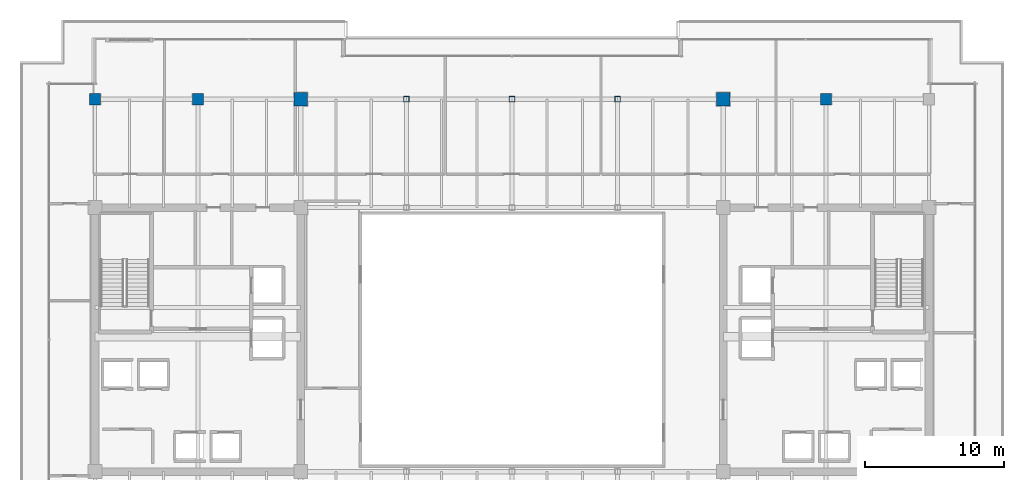
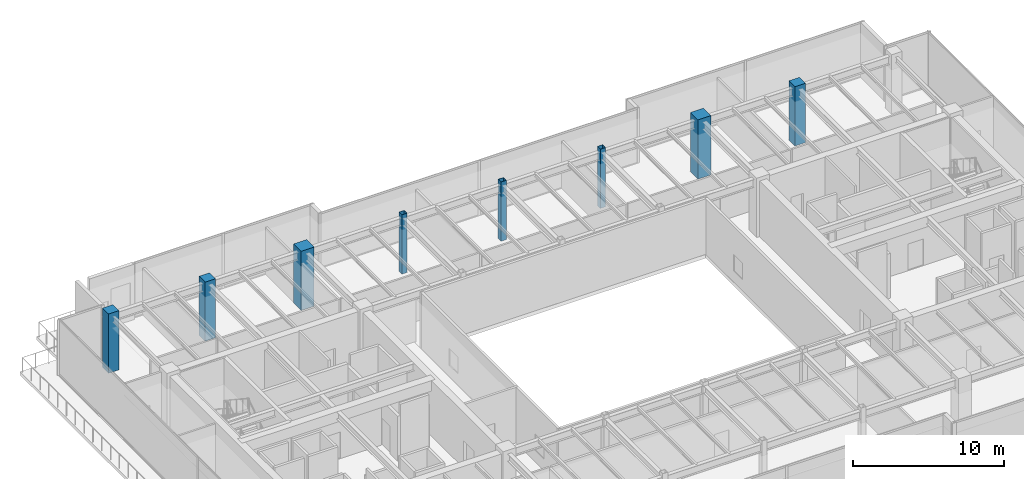
# One storey, part 3 of 37: 8 columns.
"""IFC4 building model written with IfcOpenShell, lengths in metres."""

from ifc_helpers import new_model, si_unit, direction, frame, origin, origin_2d, place, context, subcontext, project, spatial, rectangle, hollow_rectangle, extrude, source, transform, mapped, material, material_profile, profile_set, type_object, type_shapes, element, save


model = new_model("IFC4")

# Units and contexts
model_context = context("Model", 3, precision=1e-05, world=origin(), true_north=direction((0.0, 1.0)))
body_context = subcontext(model_context, "Body", "Model", "MODEL_VIEW")
ifc_project = project(units=[si_unit("LENGTHUNIT", "METRE"), si_unit("AREAUNIT", "SQUARE_METRE"), si_unit("VOLUMEUNIT", "CUBIC_METRE"), si_unit("PLANEANGLEUNIT", "RADIAN"), si_unit("MASSUNIT", "GRAM", prefix="KILO")], contexts=[model_context])

# Site, building, storey
site_placement = place(None, origin())
site = spatial("IfcSite", under=ifc_project, at=site_placement, CompositionType="ELEMENT")
building_placement = place(site_placement, origin())
building = spatial("IfcBuilding", under=site, at=building_placement, Name="Haelvirn Gate Laboratories", CompositionType="ELEMENT")
storey_placement = place(building_placement, frame((0.0, 0.0, 196.60009765625)))
storey = spatial("IfcBuildingStorey", under=building, at=storey_placement, Name="L47", CompositionType="ELEMENT", Elevation=196.60009765625)

# Columns
ifc_material_1 = material(Name="Concrete C60/75", Category="concrete")
ifc_material_profile_1 = material_profile(ifc_material_1, rectangle(XDim=1.0, YDim=1.0, at=origin_2d()), Name="RC-1000x1000")
ifc_profile_set_1 = profile_set([ifc_material_profile_1], Name="Concrete C60/75")
column_type_1 = type_object("IfcColumnType", Name="COL-RC-1000", PredefinedType="COLUMN", material=ifc_profile_set_1)
shared_shape_1 = source(origin(), body_context, "Body", "SweptSolid", [
    extrude(rectangle(XDim=1.0, YDim=1.0, at=origin_2d()), origin(), (0.0, 0.0, 1.0), 4.7998046875),
])
type_shapes(column_type_1, [shared_shape_1])
for number, where, z_axis, x_axis, name in (
    (1, (22.199951171875, 41.60009765625, 0.0), (0.0, 0.0, 1.0), (1.0, 0.0, 0.0), "L47 Column 4G"),
    (2, (52.60009765625, 41.60009765625, 0.0), (0.0, 0.0, 1.0), (1.0, 0.0, 0.0), "L47 Column 8G"),
):
    element("IfcColumn", number, at=place(storey_placement, frame(where, z_axis=z_axis, x_axis=x_axis)), inside=storey, type_object=column_type_1, Name=name, PredefinedType="COLUMN", context=body_context, shape_type="MappedRepresentation", body=[
        mapped(shared_shape_1, transform((0.0, 0.0, 0.0), scale=1.0)),
    ])
ifc_material_2 = material(Name="Concrete C50/60", Category="concrete")
ifc_material_profile_2 = material_profile(ifc_material_2, rectangle(XDim=0.800048828125, YDim=0.800048828125, at=origin_2d()), Name="RC-800x800")
ifc_profile_set_2 = profile_set([ifc_material_profile_2], Name="Concrete C50/60")
column_type_2 = type_object("IfcColumnType", Name="COL-RC-800", PredefinedType="COLUMN", material=ifc_profile_set_2)
shared_shape_2 = source(origin(), body_context, "Body", "SweptSolid", [
    extrude(rectangle(XDim=0.800048828125, YDim=0.800048828125, at=origin_2d()), origin(), (0.0, 0.0, 1.0), 4.7998046875),
])
type_shapes(column_type_2, [shared_shape_2])
for number, where, z_axis, x_axis, name in (
    (3, (14.800048828125, 41.60009765625, 0.0), (0.0, 0.0, 1.0), (1.0, 0.0, 0.0), "L47 Column 3G"),
    (4, (60.0, 41.60009765625, 0.0), (0.0, 0.0, 1.0), (1.0, 0.0, 0.0), "L47 Column 9G"),
    (5, (7.39990234375, 41.60009765625, 0.0), (0.0, 0.0, 1.0), (1.0, 0.0, 0.0), "L47 Column 2G"),
):
    element("IfcColumn", number, at=place(storey_placement, frame(where, z_axis=z_axis, x_axis=x_axis)), inside=storey, type_object=column_type_2, Name=name, PredefinedType="COLUMN", context=body_context, shape_type="MappedRepresentation", body=[
        mapped(shared_shape_2, transform((0.0, 0.0, 0.0), scale=1.0)),
    ])
ifc_material_3 = material(Name="Steel SM355", Category="steel")
ifc_material_profile_3 = material_profile(ifc_material_3, hollow_rectangle(XDim=0.39990234375, YDim=0.39990234375, WallThickness=0.01904296875, at=origin_2d()), Name="BOX-400x400x19")
ifc_profile_set_3 = profile_set([ifc_material_profile_3], Name="Steel SM355")
column_type_3 = type_object("IfcColumnType", Name="COL-BOX-400", PredefinedType="COLUMN", material=ifc_profile_set_3)
shared_shape_3 = source(origin(), body_context, "Body", "SweptSolid", [
    extrude(hollow_rectangle(XDim=0.39990234375, YDim=0.39990234375, WallThickness=0.01904296875, at=origin_2d()), origin(), (0.0, 0.0, 1.0), 4.7998046875),
])
type_shapes(column_type_3, [shared_shape_3])
for number, where, z_axis, x_axis, name in (
    (6, (29.800048828125, 41.60009765625, 0.0), (0.0, 0.0, 1.0), (1.0, 0.0, 0.0), "L47 Column 5G"),
    (7, (37.39990234375, 41.60009765625, 0.0), (0.0, 0.0, 1.0), (1.0, 0.0, 0.0), "L47 Column 6G"),
    (8, (45.0, 41.60009765625, 0.0), (0.0, 0.0, 1.0), (1.0, 0.0, 0.0), "L47 Column 7G"),
):
    element("IfcColumn", number, at=place(storey_placement, frame(where, z_axis=z_axis, x_axis=x_axis)), inside=storey, type_object=column_type_3, Name=name, PredefinedType="COLUMN", context=body_context, shape_type="MappedRepresentation", body=[
        mapped(shared_shape_3, transform((0.0, 0.0, 0.0), scale=1.0)),
    ])

save(model, "model.ifc")
